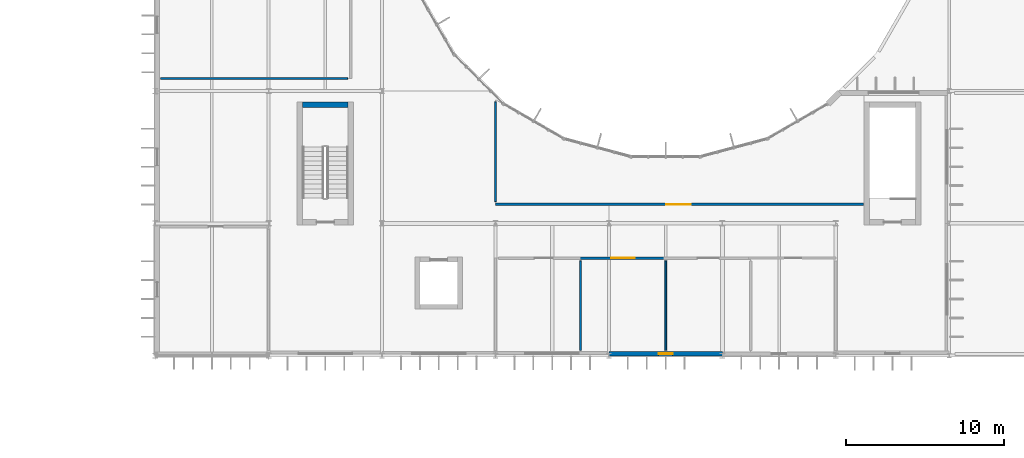
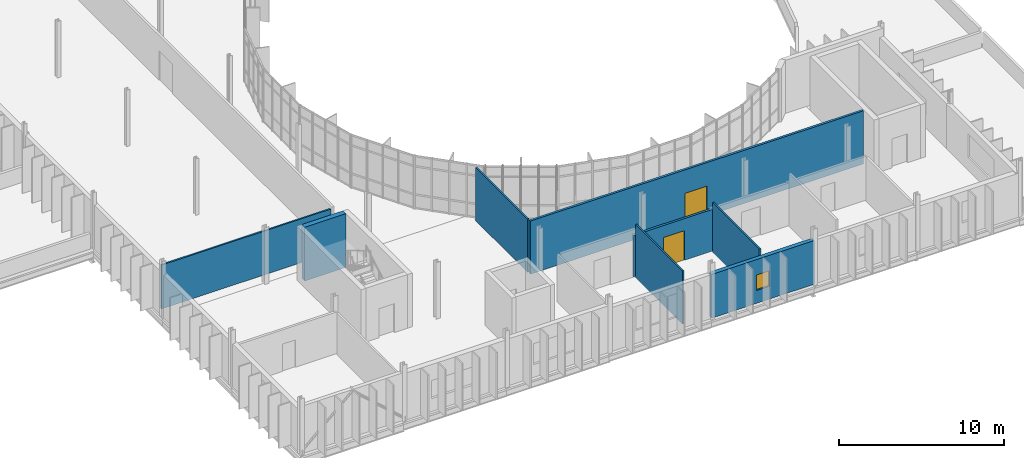
# One storey, part 44 of 61: 8 walls, 2 doors, 1 window, 3 openings.
"""IFC4 building model written with IfcOpenShell, lengths in metres."""

from ifc_helpers import new_model, si_unit, direction, frame, frame_2d, origin, place, context, subcontext, project, spatial, rectangle, extrude, material, layer, layer_set, type_object, element, fill, save


model = new_model("IFC4")

# Units and contexts
model_context = context("Model", 3, precision=1e-05, world=origin(), true_north=direction((0.0, 1.0)))
body_context = subcontext(model_context, "Body", "Model", "MODEL_VIEW")
ifc_project = project(units=[si_unit("LENGTHUNIT", "METRE"), si_unit("AREAUNIT", "SQUARE_METRE"), si_unit("VOLUMEUNIT", "CUBIC_METRE"), si_unit("PLANEANGLEUNIT", "RADIAN"), si_unit("MASSUNIT", "GRAM", prefix="KILO")], contexts=[model_context])

# Site, building, storey
site_placement = place(None, origin())
site = spatial("IfcSite", under=ifc_project, at=site_placement, CompositionType="ELEMENT")
building_placement = place(site_placement, origin())
building = spatial("IfcBuilding", under=site, at=building_placement, Name="Qelthora Terrace Specialist Clinic", CompositionType="ELEMENT")
storey_placement = place(building_placement, frame((0.0, 0.0, 13.199951171875)))
storey = spatial("IfcBuildingStorey", under=building, at=storey_placement, Name="L03", CompositionType="ELEMENT", Elevation=13.199951171875)

# Wall
ifc_material_1 = material(Name="Concrete C40/50", Category="concrete")
ifc_layer_1 = layer(ifc_material_1, 0.35009765625)
ifc_layer_set_1 = layer_set([ifc_layer_1], Name="Concrete C40/50")
wall_type_1 = type_object("IfcWallType", Name="WAL-CORE-350-C40", PredefinedType="SHEAR", material=ifc_layer_set_1)
wall_1_placement = place(storey_placement, frame((102.949951171875, 49.52490234375, 0.0), z_axis=(0.0, 0.0, 1.0), x_axis=(1.0, 0.0, 0.0)))
element("IfcWall", 1, at=wall_1_placement, inside=storey, type_object=wall_type_1, Name="ST-05 L03 north shear core wall", PredefinedType="SHEAR", context=body_context, shape_type="SweptSolid", body=[
    extrude(rectangle(XDim=2.900146484375, YDim=0.35009765625, at=frame_2d((1.4501953125, 0.0))), origin(), (0.0, 0.0, 1.0), 3.989990234375),
])

# Wall, opening, window
ifc_material_2 = material(Name="Precast concrete C40/50", Category="concrete")
ifc_layer_2 = layer(ifc_material_2, 0.280029296875)
ifc_layer_set_2 = layer_set([ifc_layer_2], Name="Precast concrete C40/50")
wall_type_2 = type_object("IfcWallType", Name="WAL-EXT-280-PC40", PredefinedType="SOLIDWALL", material=ifc_layer_set_2)
wall_2_placement = place(storey_placement, frame((122.39990234375, 33.719970703125, 0.0), z_axis=(0.0, 0.0, 1.0), x_axis=(1.0, 0.0, 0.0)))
wall_2 = element("IfcWall", 2, at=wall_2_placement, inside=storey, type_object=wall_type_2, Name="L03 external precast wall 293", PredefinedType="SOLIDWALL", context=body_context, shape_type="SweptSolid", body=[
    extrude(rectangle(XDim=7.2001953125, YDim=0.280029296875, at=frame_2d((3.60009765625, 0.0))), origin(), (0.0, 0.0, 1.0), 3.2490234375),
])
opening_1_placement = place(wall_2_placement, frame((3.14990234375, 0.0, 0.949951171875)))
opening_1 = element("IfcOpeningElement", 3, at=opening_1_placement, cuts=wall_2, Name="Opening WN-L03-253", PredefinedType="OPENING", context=body_context, shape_type="SweptSolid", body=[
    extrude(rectangle(XDim=0.89990234375, YDim=1.14990234375, at=frame_2d((0.449951171875, 0.574951171875))), frame((0.0, 0.14990234375, 0.0), z_axis=(0.0, -1.0, 0.0), x_axis=(1.0, 0.0, 0.0)), (0.0, 0.0, 1.0), 0.300048828125),
])
ifc_material_3 = material(Name="Low-E triple-silver insulating glass", Category="glass")
window_type = type_object("IfcWindowType", Name="WIN-900X1150", PartitioningType="SINGLE_PANEL", PredefinedType="WINDOW", material=ifc_material_3)
window_placement = place(opening_1_placement, origin())
window = element("IfcWindow", 4, at=window_placement, inside=storey, type_object=window_type, Name="Clinical window WN-L03-253", OverallHeight=1.14990234375, OverallWidth=0.89990234375, PartitioningType="SINGLE_PANEL", PredefinedType="WINDOW", context=body_context, shape_type="SweptSolid", body=[
    extrude(rectangle(XDim=0.89990234375, YDim=1.14990234375, at=frame_2d((0.449951171875, 0.574951171875))), frame((0.0, 0.030029296875, 0.0), z_axis=(0.0, -1.0, 0.0), x_axis=(1.0, 0.0, 0.0)), (0.0, 0.0, 1.0), 0.06005859375),
])
fill(opening_1, window)

# Wall, opening, door
ifc_material_4 = material(Name="Gypsum fire-rated wallboard", Category="gypsum")
ifc_layer_3 = layer(ifc_material_4, 0.159912109375)
ifc_layer_set_3 = layer_set([ifc_layer_3], Name="Gypsum fire-rated wallboard")
wall_type_3 = type_object("IfcWallType", Name="WAL-INT-COR-160", PredefinedType="PARTITIONING", material=ifc_layer_set_3)
wall_3_placement = place(storey_placement, frame((120.465087890625, 39.800048828125, 0.0), z_axis=(0.0, 0.0, 1.0), x_axis=(1.0, 0.0, 0.0)))
wall_3 = element("IfcWall", 5, at=wall_3_placement, inside=storey, type_object=wall_type_3, Name="Interior clinical partition IWAL-L03-0322", PredefinedType="PARTITIONING", context=body_context, shape_type="SweptSolid", body=[
    extrude(rectangle(XDim=5.534912109375, YDim=0.159912109375, at=frame_2d((2.767578125, 0.0))), origin(), (0.0, 0.0, 1.0), 3.093994140625),
])
opening_2_placement = place(wall_3_placement, frame((2.08740234375, 0.0, 0.0)))
opening_2 = element("IfcOpeningElement", 6, at=opening_2_placement, cuts=wall_3, Name="Opening DI-L03-0128", PredefinedType="OPENING", context=body_context, shape_type="SweptSolid", body=[
    extrude(rectangle(XDim=1.5, YDim=2.199951171875, at=frame_2d((0.75, 1.10009765625))), frame((0.0, 0.08984375, 0.0), z_axis=(0.0, -1.0, 0.0), x_axis=(1.0, 0.0, 0.0)), (0.0, 0.0, 1.0), 0.179931640625),
])
ifc_material_5 = material(Name="Steel S355", Category="steel")
door_type_1 = type_object("IfcDoorType", Name="DOR-OR-1500X2200", OperationType="NOTDEFINED", PredefinedType="DOOR", material=ifc_material_5)
door_1_placement = place(opening_2_placement, frame((1.5, 0.0, 0.0), z_axis=(0.0, 0.0, 1.0), x_axis=(-1.0, 0.0, 0.0)))
door_1 = element("IfcDoor", 7, at=door_1_placement, inside=storey, type_object=door_type_1, Name="Interior clinical door DI-L03-0128", OperationType="SINGLE_SWING_LEFT", OverallHeight=2.199951171875, OverallWidth=1.5, PredefinedType="DOOR", context=body_context, shape_type="SweptSolid", body=[
    extrude(rectangle(XDim=1.5, YDim=2.199951171875, at=frame_2d((0.75, 1.10009765625))), frame((0.0, 0.02490234375, 0.0), z_axis=(0.0, -1.0, 0.0), x_axis=(1.0, 0.0, 0.0)), (0.0, 0.0, 1.0), 0.050048828125),
])
fill(opening_2, door_1)

wall_4_placement = place(storey_placement, frame((138.554931640625, 43.199951171875, 0.0), z_axis=(0.0, 0.0, 1.0), x_axis=(-1.0, 0.0, 0.0)))
wall_4 = element("IfcWall", 8, at=wall_4_placement, inside=storey, type_object=wall_type_3, Name="Interior clinical partition IWAL-L03-0333", PredefinedType="PARTITIONING", context=body_context, shape_type="SweptSolid", body=[
    extrude(rectangle(XDim=23.35498046875, YDim=0.159912109375, at=frame_2d((11.677490234375, 0.0))), origin(), (0.0, 0.0, 1.0), 3.945068359375),
])
opening_3_placement = place(wall_4_placement, frame((10.972412109375, 0.0, 0.0)))
opening_3 = element("IfcOpeningElement", 9, at=opening_3_placement, cuts=wall_4, Name="Opening DI-L03-0133", PredefinedType="OPENING", context=body_context, shape_type="SweptSolid", body=[
    extrude(rectangle(XDim=1.550048828125, YDim=2.199951171875, at=frame_2d((0.77490234375, 1.10009765625))), frame((0.0, 0.08984375, 0.0), z_axis=(0.0, -1.0, 0.0), x_axis=(1.0, 0.0, 0.0)), (0.0, 0.0, 1.0), 0.179931640625),
])
ifc_material_6 = material(Name="Aluminium anodized bronze", Category="aluminium")
door_type_2 = type_object("IfcDoorType", Name="DOR-LIB-1550X2200", OperationType="NOTDEFINED", PredefinedType="DOOR", material=ifc_material_6)
door_2_placement = place(opening_3_placement, frame((1.550048828125, 0.0, 0.0), z_axis=(0.0, 0.0, 1.0), x_axis=(-1.0, 0.0, 0.0)))
door_2 = element("IfcDoor", 10, at=door_2_placement, inside=storey, type_object=door_type_2, Name="Interior clinical door DI-L03-0133", OperationType="DOUBLE_DOOR_SINGLE_SWING", OverallHeight=2.199951171875, OverallWidth=1.550048828125, PredefinedType="DOOR", context=body_context, shape_type="SweptSolid", body=[
    extrude(rectangle(XDim=1.550048828125, YDim=2.199951171875, at=frame_2d((0.77490234375, 1.10009765625))), frame((0.0, 0.02490234375, 0.0), z_axis=(0.0, -1.0, 0.0), x_axis=(1.0, 0.0, 0.0)), (0.0, 0.0, 1.0), 0.050048828125),
])
fill(opening_3, door_2)

# Walls
ifc_layer_4 = layer(ifc_material_3, 0.110107421875)
ifc_layer_set_4 = layer_set([ifc_layer_4], Name="Low-E triple-silver insulating glass")
wall_type_4 = type_object("IfcWallType", Name="WAL-INT-GLA-110", PredefinedType="MOVABLE", material=ifc_layer_set_4)
wall_5_placement = place(storey_placement, frame((120.60009765625, 39.6201171875, 0.0), z_axis=(0.0, 0.0, 1.0), x_axis=(0.0, -1.0, 0.0)))
element("IfcWall", 11, at=wall_5_placement, inside=storey, type_object=wall_type_4, Name="Interior clinical partition IWAL-L03-0321", PredefinedType="MOVABLE", context=body_context, shape_type="SweptSolid", body=[
    extrude(rectangle(XDim=5.68017578125, YDim=0.110107421875, at=frame_2d((2.840087890625, 0.0))), origin(), (0.0, 0.0, 1.0), 3.945068359375),
])
wall_6_placement = place(storey_placement, frame((126.0, 39.6201171875, 0.0), z_axis=(0.0, 0.0, 1.0), x_axis=(0.0, -1.0, 0.0)))
element("IfcWall", 12, at=wall_6_placement, inside=storey, type_object=wall_type_4, Name="Interior clinical partition IWAL-L03-0323", PredefinedType="MOVABLE", context=body_context, shape_type="SweptSolid", body=[
    extrude(rectangle(XDim=5.68017578125, YDim=0.110107421875, at=frame_2d((2.840087890625, 0.0))), origin(), (0.0, 0.0, 1.0), 3.68310546875),
])
wall_7_placement = place(storey_placement, frame((105.820068359375, 51.199951171875, 0.0), z_axis=(0.0, 0.0, 1.0), x_axis=(-1.0, 0.0, 0.0)))
element("IfcWall", 13, at=wall_7_placement, inside=storey, type_object=wall_type_4, Name="Interior clinical partition IWAL-L03-0332", PredefinedType="MOVABLE", context=body_context, shape_type="SweptSolid", body=[
    extrude(rectangle(XDim=11.880126953125, YDim=0.110107421875, at=frame_2d((5.93994140625, 0.0))), origin(), (0.0, 0.0, 1.0), 3.251953125),
])
wall_8_placement = place(storey_placement, frame((115.199951171875, 43.3798828125, 0.0), z_axis=(0.0, 0.0, 1.0), x_axis=(0.0, 1.0, 0.0)))
element("IfcWall", 14, at=wall_8_placement, inside=storey, type_object=wall_type_4, Name="Interior clinical partition IWAL-L03-0334", PredefinedType="MOVABLE", context=body_context, shape_type="SweptSolid", body=[
    extrude(rectangle(XDim=6.325927734375, YDim=0.110107421875, at=frame_2d((3.1630859375, 0.0))), origin(), (0.0, 0.0, 1.0), 3.945068359375),
])

save(model, "model.ifc")
